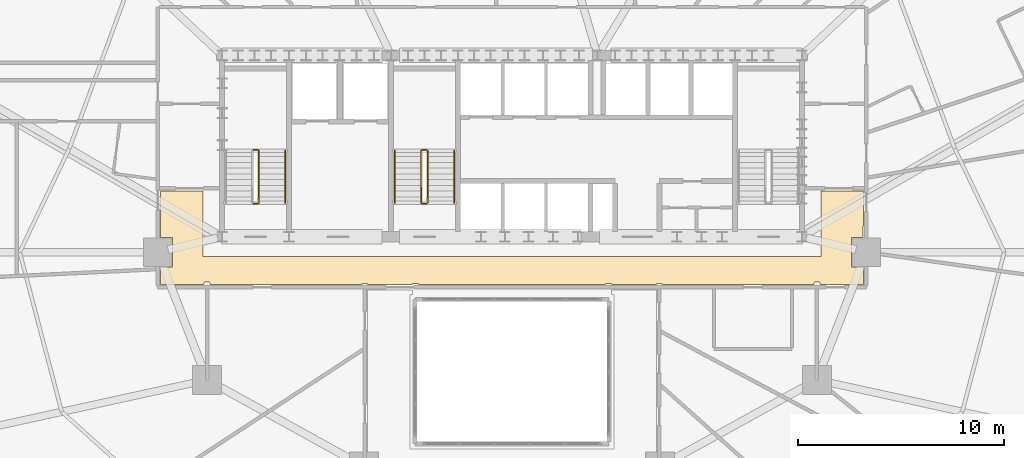
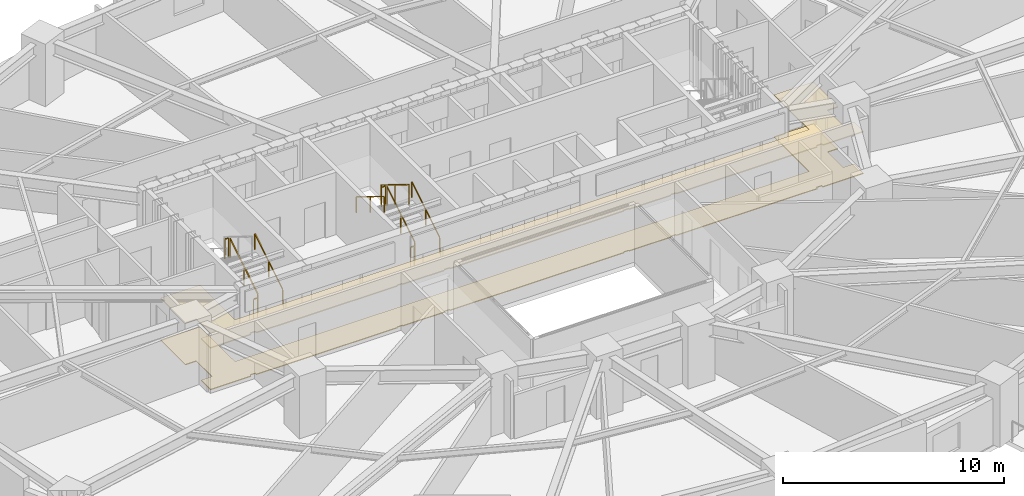
# One storey, part 15 of 17: 10 railings, 2 coverings.
"""IFC4 building model written with IfcOpenShell, lengths in metres."""

from ifc_helpers import new_model, si_unit, direction, frame, origin, origin_2d, place, context, subcontext, project, spatial, polyline, rectangle, outline, extrude, material, layer, layer_set, type_object, element, save


model = new_model("IFC4")

# Units and contexts
model_context = context("Model", 3, precision=1e-05, world=origin(), true_north=direction((0.0, 1.0)))
body_context = subcontext(model_context, "Body", "Model", "MODEL_VIEW")
ifc_project = project(units=[si_unit("LENGTHUNIT", "METRE"), si_unit("AREAUNIT", "SQUARE_METRE"), si_unit("VOLUMEUNIT", "CUBIC_METRE"), si_unit("PLANEANGLEUNIT", "RADIAN"), si_unit("MASSUNIT", "GRAM", prefix="KILO")], contexts=[model_context])

# Site, building, storey
site_placement = place(None, origin())
site = spatial("IfcSite", under=ifc_project, at=site_placement, CompositionType="ELEMENT")
building_placement = place(site_placement, origin())
building = spatial("IfcBuilding", under=site, at=building_placement, Name="Haldorwick Loom Tower", CompositionType="ELEMENT")
storey_placement = place(building_placement, frame((0.0, 0.0, 61.949951171875)))
storey = spatial("IfcBuildingStorey", under=building, at=storey_placement, Name="L16", CompositionType="ELEMENT", Elevation=61.949951171875)

# Coverings
ifc_material_1 = material(Name="Mineral Fibre Acoustic Ceiling Tile")
ifc_layer_1 = layer(ifc_material_1, 0.054931640625, Name="Mineral Fibre Acoustic Ceiling Tile")
ifc_layer_set_1 = layer_set([ifc_layer_1], Name="Mineral Fibre Acoustic Ceiling Tile")
covering_type_1 = type_object("IfcCoveringType", Name="ARC-COV-CEIL2", PredefinedType="CEILING", material=ifc_layer_set_1)
covering_1_placement = place(storey_placement, frame((0.0, 0.0, 2.302001953125)))
element("IfcCovering", 1, at=covering_1_placement, inside=storey, type_object=covering_type_1, Name="L16 Acoustic Suspended Ceiling 2", PredefinedType="CEILING", context=body_context, shape_type="SweptSolid", body=[
    extrude(outline(polyline([(51.0, 28.9599609375), (51.0, 25.800048828125), (21.0, 25.800048828125), (21.0, 28.9599609375), (18.93994140625, 28.9599609375), (18.93994140625, 26.7080078125), (19.508056640625, 26.7080078125), (19.508056640625, 25.2919921875), (18.93994140625, 25.2919921875), (18.93994140625, 24.43994140625), (21.06005859375, 24.43994140625), (21.06005859375, 24.52001953125), (21.06005859375, 24.52197265625), (21.060302734375, 24.52392578125), (21.060791015625, 24.52587890625), (21.0615234375, 24.527587890625), (21.0625, 24.529296875), (21.0634765625, 24.531005859375), (21.064453125, 24.53271484375), (21.06591796875, 24.5341796875), (21.0673828125, 24.535400390625), (21.06884765625, 24.53662109375), (21.070556640625, 24.53759765625), (21.072265625, 24.53857421875), (21.07421875, 24.5390625), (21.076171875, 24.53955078125), (21.077880859375, 24.539794921875), (21.080078125, 24.5400390625), (21.320068359375, 24.5400390625), (21.322021484375, 24.539794921875), (21.323974609375, 24.53955078125), (21.32568359375, 24.5390625), (21.32763671875, 24.53857421875), (21.329345703125, 24.53759765625), (21.3310546875, 24.53662109375), (21.332763671875, 24.535400390625), (21.333984375, 24.5341796875), (21.33544921875, 24.53271484375), (21.336669921875, 24.531005859375), (21.337646484375, 24.529296875), (21.33837890625, 24.527587890625), (21.339111328125, 24.52587890625), (21.339599609375, 24.52392578125), (21.33984375, 24.52197265625), (21.340087890625, 24.52001953125), (21.340087890625, 24.43994140625), (28.7099609375, 24.43994140625), (28.7099609375, 24.469970703125), (28.710205078125, 24.471923828125), (28.71044921875, 24.473876953125), (28.7109375, 24.475830078125), (28.71142578125, 24.477783203125), (28.71240234375, 24.4794921875), (28.71337890625, 24.481201171875), (28.714599609375, 24.482666015625), (28.7158203125, 24.484130859375), (28.71728515625, 24.485595703125), (28.718994140625, 24.486572265625), (28.720703125, 24.487548828125), (28.722412109375, 24.488525390625), (28.72412109375, 24.489013671875), (28.72607421875, 24.489501953125), (28.72802734375, 24.489990234375), (28.72998046875, 24.489990234375), (28.969970703125, 24.489990234375), (28.971923828125, 24.489990234375), (28.973876953125, 24.489501953125), (28.975830078125, 24.489013671875), (28.977783203125, 24.488525390625), (28.9794921875, 24.487548828125), (28.981201171875, 24.486572265625), (28.982666015625, 24.485595703125), (28.984130859375, 24.484130859375), (28.985595703125, 24.482666015625), (28.986572265625, 24.481201171875), (28.987548828125, 24.4794921875), (28.988525390625, 24.477783203125), (28.989013671875, 24.475830078125), (28.989501953125, 24.473876953125), (28.989990234375, 24.471923828125), (28.989990234375, 24.469970703125), (28.989990234375, 24.43994140625), (31.179931640625, 24.43994140625), (31.179931640625, 24.469970703125), (31.18017578125, 24.471923828125), (31.180419921875, 24.473876953125), (31.180908203125, 24.475830078125), (31.181396484375, 24.477783203125), (31.182373046875, 24.4794921875), (31.183349609375, 24.481201171875), (31.1845703125, 24.482666015625), (31.185791015625, 24.484130859375), (31.187255859375, 24.485595703125), (31.18896484375, 24.486572265625), (31.190673828125, 24.487548828125), (31.1923828125, 24.488525390625), (31.194091796875, 24.489013671875), (31.196044921875, 24.489501953125), (31.197998046875, 24.489990234375), (31.199951171875, 24.489990234375), (31.43994140625, 24.489990234375), (31.44189453125, 24.489990234375), (31.44384765625, 24.489501953125), (31.44580078125, 24.489013671875), (31.44775390625, 24.488525390625), (31.449462890625, 24.487548828125), (31.451171875, 24.486572265625), (31.45263671875, 24.485595703125), (31.4541015625, 24.484130859375), (31.45556640625, 24.482666015625), (31.45654296875, 24.481201171875), (31.45751953125, 24.4794921875), (31.45849609375, 24.477783203125), (31.458984375, 24.475830078125), (31.459716796875, 24.473876953125), (31.4599609375, 24.471923828125), (31.4599609375, 24.469970703125), (31.4599609375, 24.43994140625), (40.5400390625, 24.43994140625), (40.5400390625, 24.469970703125), (40.5400390625, 24.471923828125), (40.540283203125, 24.473876953125), (40.541015625, 24.475830078125), (40.54150390625, 24.477783203125), (40.54248046875, 24.4794921875), (40.54345703125, 24.481201171875), (40.54443359375, 24.482666015625), (40.5458984375, 24.484130859375), (40.54736328125, 24.485595703125), (40.548828125, 24.486572265625), (40.550537109375, 24.487548828125), (40.55224609375, 24.488525390625), (40.55419921875, 24.489013671875), (40.55615234375, 24.489501953125), (40.55810546875, 24.489990234375), (40.56005859375, 24.489990234375), (40.800048828125, 24.489990234375), (40.802001953125, 24.489990234375), (40.803955078125, 24.489501953125), (40.805908203125, 24.489013671875), (40.8076171875, 24.488525390625), (40.809326171875, 24.487548828125), (40.81103515625, 24.486572265625), (40.812744140625, 24.485595703125), (40.814208984375, 24.484130859375), (40.8154296875, 24.482666015625), (40.816650390625, 24.481201171875), (40.817626953125, 24.4794921875), (40.818603515625, 24.477783203125), (40.819091796875, 24.475830078125), (40.819580078125, 24.473876953125), (40.81982421875, 24.471923828125), (40.820068359375, 24.469970703125), (40.820068359375, 24.43994140625), (43.010009765625, 24.43994140625), (43.010009765625, 24.469970703125), (43.010009765625, 24.471923828125), (43.010498046875, 24.473876953125), (43.010986328125, 24.475830078125), (43.011474609375, 24.477783203125), (43.012451171875, 24.4794921875), (43.013427734375, 24.481201171875), (43.014404296875, 24.482666015625), (43.015869140625, 24.484130859375), (43.017333984375, 24.485595703125), (43.018798828125, 24.486572265625), (43.0205078125, 24.487548828125), (43.022216796875, 24.488525390625), (43.024169921875, 24.489013671875), (43.026123046875, 24.489501953125), (43.028076171875, 24.489990234375), (43.030029296875, 24.489990234375), (43.27001953125, 24.489990234375), (43.27197265625, 24.489990234375), (43.27392578125, 24.489501953125), (43.27587890625, 24.489013671875), (43.277587890625, 24.488525390625), (43.279296875, 24.487548828125), (43.281005859375, 24.486572265625), (43.28271484375, 24.485595703125), (43.2841796875, 24.484130859375), (43.285400390625, 24.482666015625), (43.28662109375, 24.481201171875), (43.28759765625, 24.4794921875), (43.28857421875, 24.477783203125), (43.2890625, 24.475830078125), (43.28955078125, 24.473876953125), (43.289794921875, 24.471923828125), (43.2900390625, 24.469970703125), (43.2900390625, 24.43994140625), (50.659912109375, 24.43994140625), (50.659912109375, 24.52001953125), (50.66015625, 24.52197265625), (50.660400390625, 24.52392578125), (50.660888671875, 24.52587890625), (50.66162109375, 24.527587890625), (50.662353515625, 24.529296875), (50.663330078125, 24.531005859375), (50.66455078125, 24.53271484375), (50.666015625, 24.5341796875), (50.667236328125, 24.535400390625), (50.6689453125, 24.53662109375), (50.670654296875, 24.53759765625), (50.67236328125, 24.53857421875), (50.67431640625, 24.5390625), (50.676025390625, 24.53955078125), (50.677978515625, 24.539794921875), (50.679931640625, 24.5400390625), (50.919921875, 24.5400390625), (50.922119140625, 24.539794921875), (50.923828125, 24.53955078125), (50.92578125, 24.5390625), (50.927734375, 24.53857421875), (50.929443359375, 24.53759765625), (50.93115234375, 24.53662109375), (50.9326171875, 24.535400390625), (50.93408203125, 24.5341796875), (50.935546875, 24.53271484375), (50.9365234375, 24.531005859375), (50.9375, 24.529296875), (50.9384765625, 24.527587890625), (50.939208984375, 24.52587890625), (50.939697265625, 24.52392578125), (50.93994140625, 24.52197265625), (50.93994140625, 24.52001953125), (50.93994140625, 24.43994140625), (53.06005859375, 24.43994140625), (53.06005859375, 25.2919921875), (52.491943359375, 25.2919921875), (52.491943359375, 26.7080078125), (53.048583984375, 26.7080078125), (53.059814453125, 28.9599609375), (51.0, 28.9599609375)])), origin(), (0.0, 0.0, 1.0), 0.054931640625),
])
ifc_material_2 = material(Name="Polished Aggregate Terrazzo Finish")
ifc_layer_2 = layer(ifc_material_2, 0.044921875, Name="Polished Aggregate Terrazzo Finish")
ifc_layer_set_2 = layer_set([ifc_layer_2], Name="Polished Aggregate Terrazzo Finish")
covering_type_2 = type_object("IfcCoveringType", Name="ARC-COV-FLOOR2", PredefinedType="FLOORING", material=ifc_layer_set_2)
covering_2_placement = place(storey_placement, origin())
element("IfcCovering", 2, at=covering_2_placement, inside=storey, type_object=covering_type_2, Name="L16 Floor Finish 2", PredefinedType="FLOORING", context=body_context, shape_type="SweptSolid", body=[
    extrude(outline(polyline([(51.0, 28.9599609375), (51.0, 25.800048828125), (21.0, 25.800048828125), (21.0, 28.9599609375), (18.93994140625, 28.9599609375), (18.93994140625, 26.7080078125), (19.508056640625, 26.7080078125), (19.508056640625, 25.2919921875), (18.93994140625, 25.2919921875), (18.93994140625, 24.43994140625), (21.06005859375, 24.43994140625), (21.06005859375, 24.52001953125), (21.06005859375, 24.52197265625), (21.060302734375, 24.52392578125), (21.060791015625, 24.52587890625), (21.0615234375, 24.527587890625), (21.0625, 24.529296875), (21.0634765625, 24.531005859375), (21.064453125, 24.53271484375), (21.06591796875, 24.5341796875), (21.0673828125, 24.535400390625), (21.06884765625, 24.53662109375), (21.070556640625, 24.53759765625), (21.072265625, 24.53857421875), (21.07421875, 24.5390625), (21.076171875, 24.53955078125), (21.077880859375, 24.539794921875), (21.080078125, 24.5400390625), (21.320068359375, 24.5400390625), (21.322021484375, 24.539794921875), (21.323974609375, 24.53955078125), (21.32568359375, 24.5390625), (21.32763671875, 24.53857421875), (21.329345703125, 24.53759765625), (21.3310546875, 24.53662109375), (21.332763671875, 24.535400390625), (21.333984375, 24.5341796875), (21.33544921875, 24.53271484375), (21.336669921875, 24.531005859375), (21.337646484375, 24.529296875), (21.33837890625, 24.527587890625), (21.339111328125, 24.52587890625), (21.339599609375, 24.52392578125), (21.33984375, 24.52197265625), (21.340087890625, 24.52001953125), (21.340087890625, 24.43994140625), (28.7099609375, 24.43994140625), (28.7099609375, 24.469970703125), (28.710205078125, 24.471923828125), (28.71044921875, 24.473876953125), (28.7109375, 24.475830078125), (28.71142578125, 24.477783203125), (28.71240234375, 24.4794921875), (28.71337890625, 24.481201171875), (28.714599609375, 24.482666015625), (28.7158203125, 24.484130859375), (28.71728515625, 24.485595703125), (28.718994140625, 24.486572265625), (28.720703125, 24.487548828125), (28.722412109375, 24.488525390625), (28.72412109375, 24.489013671875), (28.72607421875, 24.489501953125), (28.72802734375, 24.489990234375), (28.72998046875, 24.489990234375), (28.969970703125, 24.489990234375), (28.971923828125, 24.489990234375), (28.973876953125, 24.489501953125), (28.975830078125, 24.489013671875), (28.977783203125, 24.488525390625), (28.9794921875, 24.487548828125), (28.981201171875, 24.486572265625), (28.982666015625, 24.485595703125), (28.984130859375, 24.484130859375), (28.985595703125, 24.482666015625), (28.986572265625, 24.481201171875), (28.987548828125, 24.4794921875), (28.988525390625, 24.477783203125), (28.989013671875, 24.475830078125), (28.989501953125, 24.473876953125), (28.989990234375, 24.471923828125), (28.989990234375, 24.469970703125), (28.989990234375, 24.43994140625), (31.179931640625, 24.43994140625), (31.179931640625, 24.469970703125), (31.18017578125, 24.471923828125), (31.180419921875, 24.473876953125), (31.180908203125, 24.475830078125), (31.181396484375, 24.477783203125), (31.182373046875, 24.4794921875), (31.183349609375, 24.481201171875), (31.1845703125, 24.482666015625), (31.185791015625, 24.484130859375), (31.187255859375, 24.485595703125), (31.18896484375, 24.486572265625), (31.190673828125, 24.487548828125), (31.1923828125, 24.488525390625), (31.194091796875, 24.489013671875), (31.196044921875, 24.489501953125), (31.197998046875, 24.489990234375), (31.199951171875, 24.489990234375), (31.43994140625, 24.489990234375), (31.44189453125, 24.489990234375), (31.44384765625, 24.489501953125), (31.44580078125, 24.489013671875), (31.44775390625, 24.488525390625), (31.449462890625, 24.487548828125), (31.451171875, 24.486572265625), (31.45263671875, 24.485595703125), (31.4541015625, 24.484130859375), (31.45556640625, 24.482666015625), (31.45654296875, 24.481201171875), (31.45751953125, 24.4794921875), (31.45849609375, 24.477783203125), (31.458984375, 24.475830078125), (31.459716796875, 24.473876953125), (31.4599609375, 24.471923828125), (31.4599609375, 24.469970703125), (31.4599609375, 24.43994140625), (40.5400390625, 24.43994140625), (40.5400390625, 24.469970703125), (40.5400390625, 24.471923828125), (40.540283203125, 24.473876953125), (40.541015625, 24.475830078125), (40.54150390625, 24.477783203125), (40.54248046875, 24.4794921875), (40.54345703125, 24.481201171875), (40.54443359375, 24.482666015625), (40.5458984375, 24.484130859375), (40.54736328125, 24.485595703125), (40.548828125, 24.486572265625), (40.550537109375, 24.487548828125), (40.55224609375, 24.488525390625), (40.55419921875, 24.489013671875), (40.55615234375, 24.489501953125), (40.55810546875, 24.489990234375), (40.56005859375, 24.489990234375), (40.800048828125, 24.489990234375), (40.802001953125, 24.489990234375), (40.803955078125, 24.489501953125), (40.805908203125, 24.489013671875), (40.8076171875, 24.488525390625), (40.809326171875, 24.487548828125), (40.81103515625, 24.486572265625), (40.812744140625, 24.485595703125), (40.814208984375, 24.484130859375), (40.8154296875, 24.482666015625), (40.816650390625, 24.481201171875), (40.817626953125, 24.4794921875), (40.818603515625, 24.477783203125), (40.819091796875, 24.475830078125), (40.819580078125, 24.473876953125), (40.81982421875, 24.471923828125), (40.820068359375, 24.469970703125), (40.820068359375, 24.43994140625), (43.010009765625, 24.43994140625), (43.010009765625, 24.469970703125), (43.010009765625, 24.471923828125), (43.010498046875, 24.473876953125), (43.010986328125, 24.475830078125), (43.011474609375, 24.477783203125), (43.012451171875, 24.4794921875), (43.013427734375, 24.481201171875), (43.014404296875, 24.482666015625), (43.015869140625, 24.484130859375), (43.017333984375, 24.485595703125), (43.018798828125, 24.486572265625), (43.0205078125, 24.487548828125), (43.022216796875, 24.488525390625), (43.024169921875, 24.489013671875), (43.026123046875, 24.489501953125), (43.028076171875, 24.489990234375), (43.030029296875, 24.489990234375), (43.27001953125, 24.489990234375), (43.27197265625, 24.489990234375), (43.27392578125, 24.489501953125), (43.27587890625, 24.489013671875), (43.277587890625, 24.488525390625), (43.279296875, 24.487548828125), (43.281005859375, 24.486572265625), (43.28271484375, 24.485595703125), (43.2841796875, 24.484130859375), (43.285400390625, 24.482666015625), (43.28662109375, 24.481201171875), (43.28759765625, 24.4794921875), (43.28857421875, 24.477783203125), (43.2890625, 24.475830078125), (43.28955078125, 24.473876953125), (43.289794921875, 24.471923828125), (43.2900390625, 24.469970703125), (43.2900390625, 24.43994140625), (50.659912109375, 24.43994140625), (50.659912109375, 24.52001953125), (50.66015625, 24.52197265625), (50.660400390625, 24.52392578125), (50.660888671875, 24.52587890625), (50.66162109375, 24.527587890625), (50.662353515625, 24.529296875), (50.663330078125, 24.531005859375), (50.66455078125, 24.53271484375), (50.666015625, 24.5341796875), (50.667236328125, 24.535400390625), (50.6689453125, 24.53662109375), (50.670654296875, 24.53759765625), (50.67236328125, 24.53857421875), (50.67431640625, 24.5390625), (50.676025390625, 24.53955078125), (50.677978515625, 24.539794921875), (50.679931640625, 24.5400390625), (50.919921875, 24.5400390625), (50.922119140625, 24.539794921875), (50.923828125, 24.53955078125), (50.92578125, 24.5390625), (50.927734375, 24.53857421875), (50.929443359375, 24.53759765625), (50.93115234375, 24.53662109375), (50.9326171875, 24.535400390625), (50.93408203125, 24.5341796875), (50.935546875, 24.53271484375), (50.9365234375, 24.531005859375), (50.9375, 24.529296875), (50.9384765625, 24.527587890625), (50.939208984375, 24.52587890625), (50.939697265625, 24.52392578125), (50.93994140625, 24.52197265625), (50.93994140625, 24.52001953125), (50.93994140625, 24.43994140625), (53.06005859375, 24.43994140625), (53.06005859375, 25.2919921875), (52.491943359375, 25.2919921875), (52.491943359375, 26.7080078125), (53.048583984375, 26.7080078125), (53.059814453125, 28.9599609375), (51.0, 28.9599609375)])), origin(), (0.0, 0.0, 1.0), 0.045166015625),
])

# Railings
ifc_material_3 = material(Name="Steel CSA G40.21 350W", Category="steel")
railing_type_1 = type_object("IfcRailingType", Name="ARC-RLG-GUARD112", PredefinedType="GUARDRAIL", material=ifc_material_3)
railing_1_placement = place(storey_placement, frame((23.699951171875, 28.39990234375, 0.172607421875)))
element("IfcRailing", 3, at=railing_1_placement, inside=storey, type_object=railing_type_1, Name="L16 ST-01 stair guard 1", PredefinedType="GUARDRAIL", context=body_context, shape_type="SweptSolid", body=[
    extrude(rectangle(XDim=0.048095703125, YDim=0.048095703125, at=origin_2d()), frame((0.0, 0.0, 1.076171875), z_axis=(0.0, 0.851400495292, 0.524516154772), x_axis=(-1.0, 0.0, 0.0)), (0.0, 0.0, 1.0), 2.9599609375),
    extrude(rectangle(XDim=0.0419921875, YDim=0.0419921875, at=origin_2d()), origin(), (0.0, 0.0, 1.0), 1.052001953125),
    extrude(rectangle(XDim=0.0419921875, YDim=0.0419921875, at=origin_2d()), frame((0.0, 1.260009765625, 0.7763671875)), (0.0, 0.0, 1.0), 1.052001953125),
    extrude(rectangle(XDim=0.0419921875, YDim=0.0419921875, at=origin_2d()), frame((0.0, 2.52001953125, 1.552490234375)), (0.0, 0.0, 1.0), 1.052001953125),
])
for number, where, name in (
    (4, (23.64990234375, 30.969970703125, 1.72509765625), "L16 ST-01 stair guard 2"),
    (5, (23.64990234375, 28.35009765625, 0.0), "L16 ST-01 stair guard 4"),
):
    element("IfcRailing", number, at=place(storey_placement, frame(where)), inside=storey, type_object=railing_type_1, Name=name, PredefinedType="GUARDRAIL", context=body_context, shape_type="SweptSolid", body=[
        extrude(rectangle(XDim=0.048095703125, YDim=0.048095703125, at=origin_2d()), frame((0.0, 0.0, 1.076171875), z_axis=(-1.0, 0.0, 0.0), x_axis=(0.0, -1.0, 0.0)), (0.0, 0.0, 1.0), 0.199951171875),
        extrude(rectangle(XDim=0.0419921875, YDim=0.0419921875, at=origin_2d()), origin(), (0.0, 0.0, 1.0), 1.052001953125),
        extrude(rectangle(XDim=0.0419921875, YDim=0.0419921875, at=origin_2d()), frame((-0.199951171875, 0.0, 0.0)), (0.0, 0.0, 1.0), 1.052001953125),
    ])
railing_2_placement = place(storey_placement, frame((31.89990234375, 28.39990234375, 0.172607421875)))
element("IfcRailing", 6, at=railing_2_placement, inside=storey, type_object=railing_type_1, Name="L16 ST-03 stair guard 1", PredefinedType="GUARDRAIL", context=body_context, shape_type="SweptSolid", body=[
    extrude(rectangle(XDim=0.048095703125, YDim=0.048095703125, at=origin_2d()), frame((0.0, 0.0, 1.076171875), z_axis=(0.0, 0.851400495292, 0.524516154772), x_axis=(-1.0, 0.0, 0.0)), (0.0, 0.0, 1.0), 2.9599609375),
    extrude(rectangle(XDim=0.0419921875, YDim=0.0419921875, at=origin_2d()), origin(), (0.0, 0.0, 1.0), 1.052001953125),
    extrude(rectangle(XDim=0.0419921875, YDim=0.0419921875, at=origin_2d()), frame((0.0, 1.260009765625, 0.7763671875)), (0.0, 0.0, 1.0), 1.052001953125),
    extrude(rectangle(XDim=0.0419921875, YDim=0.0419921875, at=origin_2d()), frame((0.0, 2.52001953125, 1.552490234375)), (0.0, 0.0, 1.0), 1.052001953125),
])
railing_3_placement = place(storey_placement, frame((31.85009765625, 30.969970703125, 1.72509765625)))
element("IfcRailing", 7, at=railing_3_placement, inside=storey, type_object=railing_type_1, Name="L16 ST-03 stair guard 2", PredefinedType="GUARDRAIL", context=body_context, shape_type="SweptSolid", body=[
    extrude(rectangle(XDim=0.048095703125, YDim=0.048095703125, at=origin_2d()), frame((0.0, 0.0, 1.076171875), z_axis=(-1.0, 0.0, 0.0), x_axis=(0.0, -1.0, 0.0)), (0.0, 0.0, 1.0), 0.2001953125),
    extrude(rectangle(XDim=0.0419921875, YDim=0.0419921875, at=origin_2d()), origin(), (0.0, 0.0, 1.0), 1.052001953125),
    extrude(rectangle(XDim=0.0419921875, YDim=0.0419921875, at=origin_2d()), frame((-0.2001953125, 0.0, 0.0)), (0.0, 0.0, 1.0), 1.052001953125),
])
railing_4_placement = place(storey_placement, frame((31.60009765625, 30.919921875, 1.8974609375)))
element("IfcRailing", 8, at=railing_4_placement, inside=storey, type_object=railing_type_1, Name="L16 ST-03 stair guard 3", PredefinedType="GUARDRAIL", context=body_context, shape_type="SweptSolid", body=[
    extrude(rectangle(XDim=0.048095703125, YDim=0.048095703125, at=origin_2d()), frame((0.0, 0.0, 1.076171875), z_axis=(0.0, -0.851400495292, 0.524516154772), x_axis=(1.0, 0.0, 0.0)), (0.0, 0.0, 1.0), 2.9599609375),
    extrude(rectangle(XDim=0.0419921875, YDim=0.0419921875, at=origin_2d()), origin(), (0.0, 0.0, 1.0), 1.052001953125),
    extrude(rectangle(XDim=0.0419921875, YDim=0.0419921875, at=origin_2d()), frame((0.0, -1.260009765625, 0.7763671875)), (0.0, 0.0, 1.0), 1.052001953125),
    extrude(rectangle(XDim=0.0419921875, YDim=0.0419921875, at=origin_2d()), frame((0.0, -2.52001953125, 1.552490234375)), (0.0, 0.0, 1.0), 1.052001953125),
])
railing_5_placement = place(storey_placement, frame((31.85009765625, 28.35009765625, 0.0)))
element("IfcRailing", 9, at=railing_5_placement, inside=storey, type_object=railing_type_1, Name="L16 ST-03 stair guard 4", PredefinedType="GUARDRAIL", context=body_context, shape_type="SweptSolid", body=[
    extrude(rectangle(XDim=0.048095703125, YDim=0.048095703125, at=origin_2d()), frame((0.0, 0.0, 1.076171875), z_axis=(-1.0, 0.0, 0.0), x_axis=(0.0, -1.0, 0.0)), (0.0, 0.0, 1.0), 0.2001953125),
    extrude(rectangle(XDim=0.0419921875, YDim=0.0419921875, at=origin_2d()), origin(), (0.0, 0.0, 1.0), 1.052001953125),
    extrude(rectangle(XDim=0.0419921875, YDim=0.0419921875, at=origin_2d()), frame((-0.2001953125, 0.0, 0.0)), (0.0, 0.0, 1.0), 1.052001953125),
])
railing_type_2 = type_object("IfcRailingType", Name="ARC-RLG-HAND092", PredefinedType="HANDRAIL", material=ifc_material_3)
for number, where, name in (
    (10, (25.0, 28.39990234375, 0.172607421875), "L16 ST-01 stair handrail 1"),
    (11, (33.199951171875, 28.39990234375, 0.172607421875), "L16 ST-03 stair handrail 1"),
):
    element("IfcRailing", number, at=place(storey_placement, frame(where)), inside=storey, type_object=railing_type_2, Name=name, PredefinedType="HANDRAIL", context=body_context, shape_type="SweptSolid", body=[
        extrude(rectangle(XDim=0.048095703125, YDim=0.048095703125, at=origin_2d()), frame((0.0, 0.0, 0.8759765625), z_axis=(0.0, 0.851400495292, 0.524516154772), x_axis=(-1.0, 0.0, 0.0)), (0.0, 0.0, 1.0), 2.9599609375),
        extrude(rectangle(XDim=0.0419921875, YDim=0.0419921875, at=origin_2d()), origin(), (0.0, 0.0, 1.0), 0.851806640625),
        extrude(rectangle(XDim=0.0419921875, YDim=0.0419921875, at=origin_2d()), frame((0.0, 1.260009765625, 0.7763671875)), (0.0, 0.0, 1.0), 0.851806640625),
        extrude(rectangle(XDim=0.0419921875, YDim=0.0419921875, at=origin_2d()), frame((0.0, 2.52001953125, 1.552490234375)), (0.0, 0.0, 1.0), 0.851806640625),
    ])
railing_6_placement = place(storey_placement, frame((30.300048828125, 30.919921875, 1.8974609375)))
element("IfcRailing", 12, at=railing_6_placement, inside=storey, type_object=railing_type_2, Name="L16 ST-03 stair handrail 2", PredefinedType="HANDRAIL", context=body_context, shape_type="SweptSolid", body=[
    extrude(rectangle(XDim=0.048095703125, YDim=0.048095703125, at=origin_2d()), frame((0.0, 0.0, 0.8759765625), z_axis=(0.0, -0.851400495292, 0.524516154772), x_axis=(1.0, 0.0, 0.0)), (0.0, 0.0, 1.0), 2.9599609375),
    extrude(rectangle(XDim=0.0419921875, YDim=0.0419921875, at=origin_2d()), origin(), (0.0, 0.0, 1.0), 0.851806640625),
    extrude(rectangle(XDim=0.0419921875, YDim=0.0419921875, at=origin_2d()), frame((0.0, -1.260009765625, 0.7763671875)), (0.0, 0.0, 1.0), 0.851806640625),
    extrude(rectangle(XDim=0.0419921875, YDim=0.0419921875, at=origin_2d()), frame((0.0, -2.52001953125, 1.552490234375)), (0.0, 0.0, 1.0), 0.851806640625),
])

save(model, "model.ifc")
